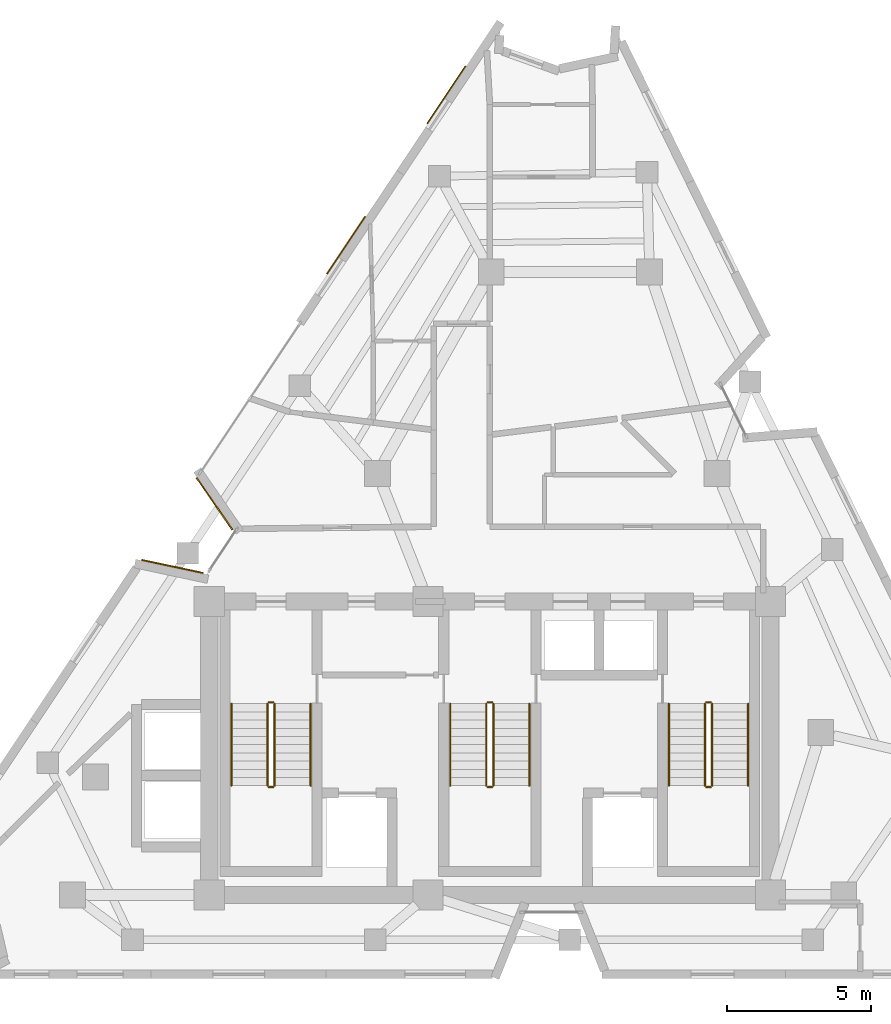
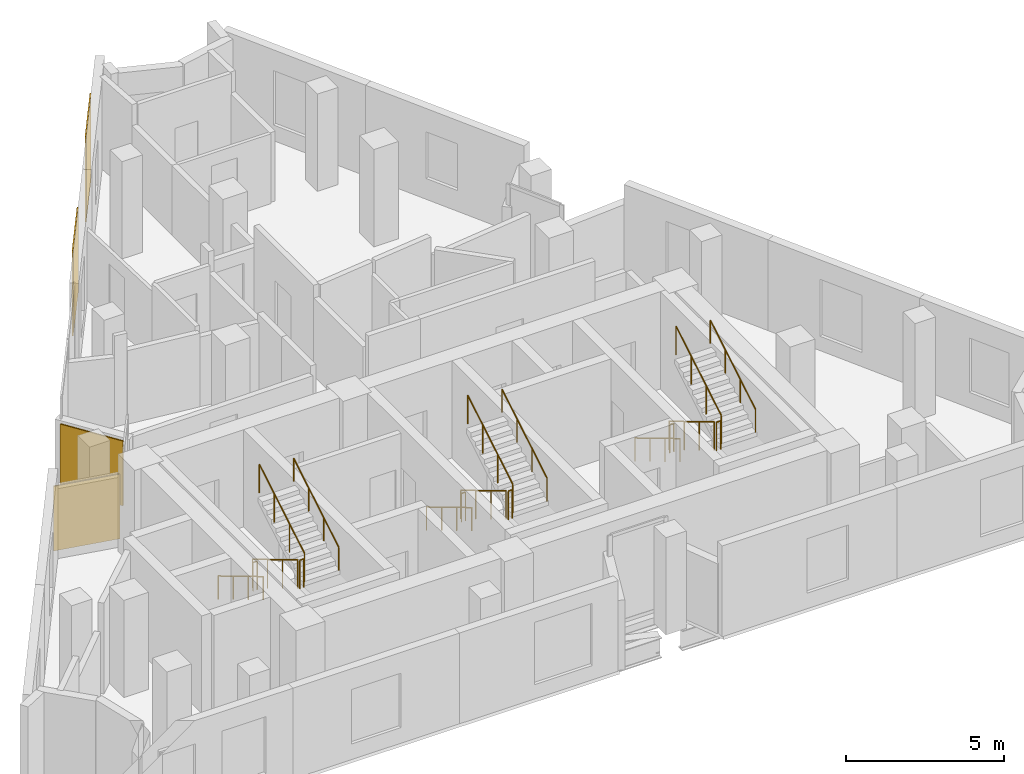
# One storey, part 8 of 8: 18 railings, 4 coverings.
"""IFC4 building model written with IfcOpenShell, lengths in metres."""

from ifc_helpers import new_model, si_unit, direction, frame, origin, origin_2d, place, context, subcontext, project, spatial, rectangle, circle, extrude, material, layer, layer_set, type_object, element, save


model = new_model("IFC4")

# Units and contexts
model_context = context("Model", 3, precision=1e-05, world=origin(), true_north=direction((0.0, 1.0)))
body_context = subcontext(model_context, "Body", "Model", "MODEL_VIEW")
ifc_project = project(units=[si_unit("LENGTHUNIT", "METRE"), si_unit("AREAUNIT", "SQUARE_METRE"), si_unit("VOLUMEUNIT", "CUBIC_METRE"), si_unit("PLANEANGLEUNIT", "RADIAN"), si_unit("MASSUNIT", "GRAM", prefix="KILO")], contexts=[model_context])

# Site, building, storey
site_placement = place(None, origin())
site = spatial("IfcSite", under=ifc_project, at=site_placement, CompositionType="ELEMENT")
building_placement = place(site_placement, origin())
building = spatial("IfcBuilding", under=site, at=building_placement, Name="Almagre Mirador Tower", CompositionType="ELEMENT")
storey_placement = place(building_placement, frame((0.0, 0.0, 282.0)))
storey = spatial("IfcBuildingStorey", under=building, at=storey_placement, Name="L73", CompositionType="ELEMENT", Elevation=282.0)

# Coverings
ifc_material_1 = material(Name="Almagre terracotta architectural cladding", Category="masonry")
ifc_layer = layer(ifc_material_1, 0.044921875)
ifc_layer_set = layer_set([ifc_layer], Name="Almagre terracotta architectural cladding")
covering_type = type_object("IfcCoveringType", Name="COV-CLAD-ALMAGRE", PredefinedType="CLADDING", material=ifc_layer_set)
for number, where, z_axis, x_axis, name in (
    (1, (26.2734375, 15.96728515625, 0.099853515625), (0.0, 0.0, 1.0), (0.977976720708, -0.208713999897, 0.0), "L73 almagre terracotta pier cladding"),
    (2, (27.73095703125, 18.150634765625, 0.099853515625), (0.0, 0.0, 1.0), (-0.567815011828, 0.823156189519, 0.0), "L73 almagre terracotta pier cladding"),
):
    element("IfcCovering", number, at=place(storey_placement, frame(where, z_axis=z_axis, x_axis=x_axis)), inside=storey, type_object=covering_type, Name=name, PredefinedType="CLADDING", context=body_context, shape_type="SweptSolid", body=[
        extrude(rectangle(XDim=2.194091796875, YDim=0.044921875, at=origin_2d()), origin(), (0.0, 0.0, 1.0), 2.49609375),
    ])
for number, where, z_axis, x_axis, name in (
    (3, (32.303955078125, 27.1328125, 0.10009765625), (0.0, 0.0, 1.0), (0.55525093066, 0.831682874659, 0.0), "L73 almagre terracotta pier cladding"),
    (4, (35.791748046875, 32.356689453125, 0.10009765625), (0.0, 0.0, 1.0), (0.55525093066, 0.831682874659, 0.0), "L73 almagre terracotta pier cladding"),
):
    element("IfcCovering", number, at=place(storey_placement, frame(where, z_axis=z_axis, x_axis=x_axis)), inside=storey, type_object=covering_type, Name=name, PredefinedType="CLADDING", context=body_context, shape_type="SweptSolid", body=[
        extrude(rectangle(XDim=2.39990234375, YDim=0.044921875, at=origin_2d()), origin(), (0.0, 0.0, 1.0), 3.300048828125),
    ])

# Railings
ifc_material_2 = material(Name="Painted galvanized steel", Category="steel")
railing_type_1 = type_object("IfcRailingType", Name="RLG-GRD-1100", PredefinedType="GUARDRAIL", material=ifc_material_2)
railing_1_placement = place(storey_placement, frame((29.574951171875, 11.199951171875, 0.17041015625)))
element("IfcRailing", 5, at=railing_1_placement, inside=storey, type_object=railing_type_1, Name="L73 ST-1 stair guard 1", PredefinedType="GUARDRAIL", context=body_context, shape_type="SweptSolid", body=[
    extrude(circle(Radius=0.02392578125, at=origin_2d()), frame((0.0, 0.0, 1.09619140625), z_axis=(0.0, -0.858199205511, 0.513316786848), x_axis=(1.0, 0.0, 0.0)), (0.0, 0.0, 1.0), 3.32080078125),
    extrude(circle(Radius=0.02099609375, at=origin_2d()), origin(), (0.0, 0.0, 1.0), 1.072021484375),
    extrude(circle(Radius=0.02099609375, at=origin_2d()), frame((0.0, -0.949951171875, 0.568115234375)), (0.0, 0.0, 1.0), 1.072021484375),
    extrude(circle(Radius=0.02099609375, at=origin_2d()), frame((0.0, -1.89990234375, 1.136474609375)), (0.0, 0.0, 1.0), 1.072021484375),
    extrude(circle(Radius=0.02099609375, at=origin_2d()), frame((0.0, -2.849853515625, 1.70458984375)), (0.0, 0.0, 1.0), 1.072021484375),
])
railing_2_placement = place(storey_placement, frame((29.625, 8.300048828125, 1.875)))
element("IfcRailing", 6, at=railing_2_placement, inside=storey, type_object=railing_type_1, Name="L73 ST-1 stair guard 2", PredefinedType="GUARDRAIL", context=body_context, shape_type="SweptSolid", body=[
    extrude(circle(Radius=0.02392578125, at=origin_2d()), frame((0.0, 0.0, 1.09619140625), z_axis=(1.0, 0.0, 0.0), x_axis=(0.0, 1.0, 0.0)), (0.0, 0.0, 1.0), 0.14990234375),
    extrude(circle(Radius=0.02099609375, at=origin_2d()), origin(), (0.0, 0.0, 1.0), 1.072021484375),
    extrude(circle(Radius=0.02099609375, at=origin_2d()), frame((0.14990234375, 0.0, 0.0)), (0.0, 0.0, 1.0), 1.072021484375),
])
railing_3_placement = place(storey_placement, frame((29.824951171875, 8.35009765625, 2.04541015625)))
element("IfcRailing", 7, at=railing_3_placement, inside=storey, type_object=railing_type_1, Name="L73 ST-1 stair guard 3", PredefinedType="GUARDRAIL", context=body_context, shape_type="SweptSolid", body=[
    extrude(circle(Radius=0.02392578125, at=origin_2d()), frame((0.0, 0.0, 1.09619140625), z_axis=(0.0, 0.858199205511, 0.513316786848), x_axis=(-1.0, 0.0, 0.0)), (0.0, 0.0, 1.0), 3.32080078125),
    extrude(circle(Radius=0.02099609375, at=origin_2d()), origin(), (0.0, 0.0, 1.0), 1.072021484375),
    extrude(circle(Radius=0.02099609375, at=origin_2d()), frame((0.0, 0.949951171875, 0.568115234375)), (0.0, 0.0, 1.0), 1.072021484375),
    extrude(circle(Radius=0.02099609375, at=origin_2d()), frame((0.0, 1.89990234375, 1.136474609375)), (0.0, 0.0, 1.0), 1.072021484375),
    extrude(circle(Radius=0.02099609375, at=origin_2d()), frame((0.0, 2.849853515625, 1.70458984375)), (0.0, 0.0, 1.0), 1.072021484375),
])
railing_4_placement = place(storey_placement, frame((29.625, 11.25, 0.0)))
element("IfcRailing", 8, at=railing_4_placement, inside=storey, type_object=railing_type_1, Name="L73 ST-1 stair guard 4", PredefinedType="GUARDRAIL", context=body_context, shape_type="SweptSolid", body=[
    extrude(circle(Radius=0.02392578125, at=origin_2d()), frame((0.0, 0.0, 1.09619140625), z_axis=(1.0, 0.0, 0.0), x_axis=(0.0, 1.0, 0.0)), (0.0, 0.0, 1.0), 0.14990234375),
    extrude(circle(Radius=0.02099609375, at=origin_2d()), origin(), (0.0, 0.0, 1.0), 1.072021484375),
    extrude(circle(Radius=0.02099609375, at=origin_2d()), frame((0.14990234375, 0.0, 0.0)), (0.0, 0.0, 1.0), 1.072021484375),
])
railing_5_placement = place(storey_placement, frame((37.175048828125, 11.199951171875, 0.17041015625)))
element("IfcRailing", 9, at=railing_5_placement, inside=storey, type_object=railing_type_1, Name="L73 ST-2 stair guard 1", PredefinedType="GUARDRAIL", context=body_context, shape_type="SweptSolid", body=[
    extrude(circle(Radius=0.02392578125, at=origin_2d()), frame((0.0, 0.0, 1.09619140625), z_axis=(0.0, -0.858199205511, 0.513316786848), x_axis=(1.0, 0.0, 0.0)), (0.0, 0.0, 1.0), 3.32080078125),
    extrude(circle(Radius=0.02099609375, at=origin_2d()), origin(), (0.0, 0.0, 1.0), 1.072021484375),
    extrude(circle(Radius=0.02099609375, at=origin_2d()), frame((0.0, -0.949951171875, 0.568115234375)), (0.0, 0.0, 1.0), 1.072021484375),
    extrude(circle(Radius=0.02099609375, at=origin_2d()), frame((0.0, -1.89990234375, 1.136474609375)), (0.0, 0.0, 1.0), 1.072021484375),
    extrude(circle(Radius=0.02099609375, at=origin_2d()), frame((0.0, -2.849853515625, 1.70458984375)), (0.0, 0.0, 1.0), 1.072021484375),
])
railing_6_placement = place(storey_placement, frame((37.22509765625, 8.300048828125, 1.875)))
element("IfcRailing", 10, at=railing_6_placement, inside=storey, type_object=railing_type_1, Name="L73 ST-2 stair guard 2", PredefinedType="GUARDRAIL", context=body_context, shape_type="SweptSolid", body=[
    extrude(circle(Radius=0.02392578125, at=origin_2d()), frame((0.0, 0.0, 1.09619140625), z_axis=(1.0, 0.0, 0.0), x_axis=(0.0, 1.0, 0.0)), (0.0, 0.0, 1.0), 0.14990234375),
    extrude(circle(Radius=0.02099609375, at=origin_2d()), origin(), (0.0, 0.0, 1.0), 1.072021484375),
    extrude(circle(Radius=0.02099609375, at=origin_2d()), frame((0.14990234375, 0.0, 0.0)), (0.0, 0.0, 1.0), 1.072021484375),
])
railing_7_placement = place(storey_placement, frame((37.425048828125, 8.35009765625, 2.04541015625)))
element("IfcRailing", 11, at=railing_7_placement, inside=storey, type_object=railing_type_1, Name="L73 ST-2 stair guard 3", PredefinedType="GUARDRAIL", context=body_context, shape_type="SweptSolid", body=[
    extrude(circle(Radius=0.02392578125, at=origin_2d()), frame((0.0, 0.0, 1.09619140625), z_axis=(0.0, 0.858199205511, 0.513316786848), x_axis=(-1.0, 0.0, 0.0)), (0.0, 0.0, 1.0), 3.32080078125),
    extrude(circle(Radius=0.02099609375, at=origin_2d()), origin(), (0.0, 0.0, 1.0), 1.072021484375),
    extrude(circle(Radius=0.02099609375, at=origin_2d()), frame((0.0, 0.949951171875, 0.568115234375)), (0.0, 0.0, 1.0), 1.072021484375),
    extrude(circle(Radius=0.02099609375, at=origin_2d()), frame((0.0, 1.89990234375, 1.136474609375)), (0.0, 0.0, 1.0), 1.072021484375),
    extrude(circle(Radius=0.02099609375, at=origin_2d()), frame((0.0, 2.849853515625, 1.70458984375)), (0.0, 0.0, 1.0), 1.072021484375),
])
railing_8_placement = place(storey_placement, frame((37.22509765625, 11.25, 0.0)))
element("IfcRailing", 12, at=railing_8_placement, inside=storey, type_object=railing_type_1, Name="L73 ST-2 stair guard 4", PredefinedType="GUARDRAIL", context=body_context, shape_type="SweptSolid", body=[
    extrude(circle(Radius=0.02392578125, at=origin_2d()), frame((0.0, 0.0, 1.09619140625), z_axis=(1.0, 0.0, 0.0), x_axis=(0.0, 1.0, 0.0)), (0.0, 0.0, 1.0), 0.14990234375),
    extrude(circle(Radius=0.02099609375, at=origin_2d()), origin(), (0.0, 0.0, 1.0), 1.072021484375),
    extrude(circle(Radius=0.02099609375, at=origin_2d()), frame((0.14990234375, 0.0, 0.0)), (0.0, 0.0, 1.0), 1.072021484375),
])
railing_9_placement = place(storey_placement, frame((44.77490234375, 11.199951171875, 0.17041015625)))
element("IfcRailing", 13, at=railing_9_placement, inside=storey, type_object=railing_type_1, Name="L73 ST-3 stair guard 1", PredefinedType="GUARDRAIL", context=body_context, shape_type="SweptSolid", body=[
    extrude(circle(Radius=0.02392578125, at=origin_2d()), frame((0.0, 0.0, 1.09619140625), z_axis=(0.0, -0.858199205511, 0.513316786848), x_axis=(1.0, 0.0, 0.0)), (0.0, 0.0, 1.0), 3.32080078125),
    extrude(circle(Radius=0.02099609375, at=origin_2d()), origin(), (0.0, 0.0, 1.0), 1.072021484375),
    extrude(circle(Radius=0.02099609375, at=origin_2d()), frame((0.0, -0.949951171875, 0.568115234375)), (0.0, 0.0, 1.0), 1.072021484375),
    extrude(circle(Radius=0.02099609375, at=origin_2d()), frame((0.0, -1.89990234375, 1.136474609375)), (0.0, 0.0, 1.0), 1.072021484375),
    extrude(circle(Radius=0.02099609375, at=origin_2d()), frame((0.0, -2.849853515625, 1.70458984375)), (0.0, 0.0, 1.0), 1.072021484375),
])
railing_10_placement = place(storey_placement, frame((44.824951171875, 8.300048828125, 1.875)))
element("IfcRailing", 14, at=railing_10_placement, inside=storey, type_object=railing_type_1, Name="L73 ST-3 stair guard 2", PredefinedType="GUARDRAIL", context=body_context, shape_type="SweptSolid", body=[
    extrude(circle(Radius=0.02392578125, at=origin_2d()), frame((0.0, 0.0, 1.09619140625), z_axis=(1.0, 0.0, 0.0), x_axis=(0.0, 1.0, 0.0)), (0.0, 0.0, 1.0), 0.150146484375),
    extrude(circle(Radius=0.02099609375, at=origin_2d()), origin(), (0.0, 0.0, 1.0), 1.072021484375),
    extrude(circle(Radius=0.02099609375, at=origin_2d()), frame((0.150146484375, 0.0, 0.0)), (0.0, 0.0, 1.0), 1.072021484375),
])
railing_11_placement = place(storey_placement, frame((45.02490234375, 8.35009765625, 2.04541015625)))
element("IfcRailing", 15, at=railing_11_placement, inside=storey, type_object=railing_type_1, Name="L73 ST-3 stair guard 3", PredefinedType="GUARDRAIL", context=body_context, shape_type="SweptSolid", body=[
    extrude(circle(Radius=0.02392578125, at=origin_2d()), frame((0.0, 0.0, 1.09619140625), z_axis=(0.0, 0.858199205511, 0.513316786848), x_axis=(-1.0, 0.0, 0.0)), (0.0, 0.0, 1.0), 3.32080078125),
    extrude(circle(Radius=0.02099609375, at=origin_2d()), origin(), (0.0, 0.0, 1.0), 1.072021484375),
    extrude(circle(Radius=0.02099609375, at=origin_2d()), frame((0.0, 0.949951171875, 0.568115234375)), (0.0, 0.0, 1.0), 1.072021484375),
    extrude(circle(Radius=0.02099609375, at=origin_2d()), frame((0.0, 1.89990234375, 1.136474609375)), (0.0, 0.0, 1.0), 1.072021484375),
    extrude(circle(Radius=0.02099609375, at=origin_2d()), frame((0.0, 2.849853515625, 1.70458984375)), (0.0, 0.0, 1.0), 1.072021484375),
])
railing_12_placement = place(storey_placement, frame((44.824951171875, 11.25, 0.0)))
element("IfcRailing", 16, at=railing_12_placement, inside=storey, type_object=railing_type_1, Name="L73 ST-3 stair guard 4", PredefinedType="GUARDRAIL", context=body_context, shape_type="SweptSolid", body=[
    extrude(circle(Radius=0.02392578125, at=origin_2d()), frame((0.0, 0.0, 1.09619140625), z_axis=(1.0, 0.0, 0.0), x_axis=(0.0, 1.0, 0.0)), (0.0, 0.0, 1.0), 0.150146484375),
    extrude(circle(Radius=0.02099609375, at=origin_2d()), origin(), (0.0, 0.0, 1.0), 1.072021484375),
    extrude(circle(Radius=0.02099609375, at=origin_2d()), frame((0.150146484375, 0.0, 0.0)), (0.0, 0.0, 1.0), 1.072021484375),
])
ifc_material_3 = material(Name="Brushed stainless steel", Category="steel")
railing_type_2 = type_object("IfcRailingType", Name="RLG-HND-915", PredefinedType="HANDRAIL", material=ifc_material_3)
railing_13_placement = place(storey_placement, frame((28.324951171875, 11.199951171875, 0.17041015625)))
element("IfcRailing", 17, at=railing_13_placement, inside=storey, type_object=railing_type_2, Name="L73 ST-1 stair handrail 1", PredefinedType="HANDRAIL", context=body_context, shape_type="SweptSolid", body=[
    extrude(circle(Radius=0.02392578125, at=origin_2d()), frame((0.0, 0.0, 0.89111328125), z_axis=(0.0, -0.858199205511, 0.513316786848), x_axis=(1.0, 0.0, 0.0)), (0.0, 0.0, 1.0), 3.32080078125),
    extrude(circle(Radius=0.02099609375, at=origin_2d()), origin(), (0.0, 0.0, 1.0), 0.866943359375),
    extrude(circle(Radius=0.02099609375, at=origin_2d()), frame((0.0, -0.949951171875, 0.568115234375)), (0.0, 0.0, 1.0), 0.866943359375),
    extrude(circle(Radius=0.02099609375, at=origin_2d()), frame((0.0, -1.89990234375, 1.136474609375)), (0.0, 0.0, 1.0), 0.866943359375),
    extrude(circle(Radius=0.02099609375, at=origin_2d()), frame((0.0, -2.849853515625, 1.70458984375)), (0.0, 0.0, 1.0), 0.866943359375),
])
railing_14_placement = place(storey_placement, frame((31.074951171875, 8.35009765625, 2.04541015625)))
element("IfcRailing", 18, at=railing_14_placement, inside=storey, type_object=railing_type_2, Name="L73 ST-1 stair handrail 2", PredefinedType="HANDRAIL", context=body_context, shape_type="SweptSolid", body=[
    extrude(circle(Radius=0.02392578125, at=origin_2d()), frame((0.0, 0.0, 0.89111328125), z_axis=(0.0, 0.858199205511, 0.513316786848), x_axis=(-1.0, 0.0, 0.0)), (0.0, 0.0, 1.0), 3.32080078125),
    extrude(circle(Radius=0.02099609375, at=origin_2d()), origin(), (0.0, 0.0, 1.0), 0.866943359375),
    extrude(circle(Radius=0.02099609375, at=origin_2d()), frame((0.0, 0.949951171875, 0.568115234375)), (0.0, 0.0, 1.0), 0.866943359375),
    extrude(circle(Radius=0.02099609375, at=origin_2d()), frame((0.0, 1.89990234375, 1.136474609375)), (0.0, 0.0, 1.0), 0.866943359375),
    extrude(circle(Radius=0.02099609375, at=origin_2d()), frame((0.0, 2.849853515625, 1.70458984375)), (0.0, 0.0, 1.0), 0.866943359375),
])
railing_15_placement = place(storey_placement, frame((35.925048828125, 11.199951171875, 0.17041015625)))
element("IfcRailing", 19, at=railing_15_placement, inside=storey, type_object=railing_type_2, Name="L73 ST-2 stair handrail 1", PredefinedType="HANDRAIL", context=body_context, shape_type="SweptSolid", body=[
    extrude(circle(Radius=0.02392578125, at=origin_2d()), frame((0.0, 0.0, 0.89111328125), z_axis=(0.0, -0.858199205511, 0.513316786848), x_axis=(1.0, 0.0, 0.0)), (0.0, 0.0, 1.0), 3.32080078125),
    extrude(circle(Radius=0.02099609375, at=origin_2d()), origin(), (0.0, 0.0, 1.0), 0.866943359375),
    extrude(circle(Radius=0.02099609375, at=origin_2d()), frame((0.0, -0.949951171875, 0.568115234375)), (0.0, 0.0, 1.0), 0.866943359375),
    extrude(circle(Radius=0.02099609375, at=origin_2d()), frame((0.0, -1.89990234375, 1.136474609375)), (0.0, 0.0, 1.0), 0.866943359375),
    extrude(circle(Radius=0.02099609375, at=origin_2d()), frame((0.0, -2.849853515625, 1.70458984375)), (0.0, 0.0, 1.0), 0.866943359375),
])
railing_16_placement = place(storey_placement, frame((38.675048828125, 8.35009765625, 2.04541015625)))
element("IfcRailing", 20, at=railing_16_placement, inside=storey, type_object=railing_type_2, Name="L73 ST-2 stair handrail 2", PredefinedType="HANDRAIL", context=body_context, shape_type="SweptSolid", body=[
    extrude(circle(Radius=0.02392578125, at=origin_2d()), frame((0.0, 0.0, 0.89111328125), z_axis=(0.0, 0.858199205511, 0.513316786848), x_axis=(-1.0, 0.0, 0.0)), (0.0, 0.0, 1.0), 3.32080078125),
    extrude(circle(Radius=0.02099609375, at=origin_2d()), origin(), (0.0, 0.0, 1.0), 0.866943359375),
    extrude(circle(Radius=0.02099609375, at=origin_2d()), frame((0.0, 0.949951171875, 0.568115234375)), (0.0, 0.0, 1.0), 0.866943359375),
    extrude(circle(Radius=0.02099609375, at=origin_2d()), frame((0.0, 1.89990234375, 1.136474609375)), (0.0, 0.0, 1.0), 0.866943359375),
    extrude(circle(Radius=0.02099609375, at=origin_2d()), frame((0.0, 2.849853515625, 1.70458984375)), (0.0, 0.0, 1.0), 0.866943359375),
])
railing_17_placement = place(storey_placement, frame((43.52490234375, 11.199951171875, 0.17041015625)))
element("IfcRailing", 21, at=railing_17_placement, inside=storey, type_object=railing_type_2, Name="L73 ST-3 stair handrail 1", PredefinedType="HANDRAIL", context=body_context, shape_type="SweptSolid", body=[
    extrude(circle(Radius=0.02392578125, at=origin_2d()), frame((0.0, 0.0, 0.89111328125), z_axis=(0.0, -0.858199205511, 0.513316786848), x_axis=(1.0, 0.0, 0.0)), (0.0, 0.0, 1.0), 3.32080078125),
    extrude(circle(Radius=0.02099609375, at=origin_2d()), origin(), (0.0, 0.0, 1.0), 0.866943359375),
    extrude(circle(Radius=0.02099609375, at=origin_2d()), frame((0.0, -0.949951171875, 0.568115234375)), (0.0, 0.0, 1.0), 0.866943359375),
    extrude(circle(Radius=0.02099609375, at=origin_2d()), frame((0.0, -1.89990234375, 1.136474609375)), (0.0, 0.0, 1.0), 0.866943359375),
    extrude(circle(Radius=0.02099609375, at=origin_2d()), frame((0.0, -2.849853515625, 1.70458984375)), (0.0, 0.0, 1.0), 0.866943359375),
])
railing_18_placement = place(storey_placement, frame((46.27490234375, 8.35009765625, 2.04541015625)))
element("IfcRailing", 22, at=railing_18_placement, inside=storey, type_object=railing_type_2, Name="L73 ST-3 stair handrail 2", PredefinedType="HANDRAIL", context=body_context, shape_type="SweptSolid", body=[
    extrude(circle(Radius=0.02392578125, at=origin_2d()), frame((0.0, 0.0, 0.89111328125), z_axis=(0.0, 0.858199205511, 0.513316786848), x_axis=(-1.0, 0.0, 0.0)), (0.0, 0.0, 1.0), 3.32080078125),
    extrude(circle(Radius=0.02099609375, at=origin_2d()), origin(), (0.0, 0.0, 1.0), 0.866943359375),
    extrude(circle(Radius=0.02099609375, at=origin_2d()), frame((0.0, 0.949951171875, 0.568115234375)), (0.0, 0.0, 1.0), 0.866943359375),
    extrude(circle(Radius=0.02099609375, at=origin_2d()), frame((0.0, 1.89990234375, 1.136474609375)), (0.0, 0.0, 1.0), 0.866943359375),
    extrude(circle(Radius=0.02099609375, at=origin_2d()), frame((0.0, 2.849853515625, 1.70458984375)), (0.0, 0.0, 1.0), 0.866943359375),
])

save(model, "model.ifc")
